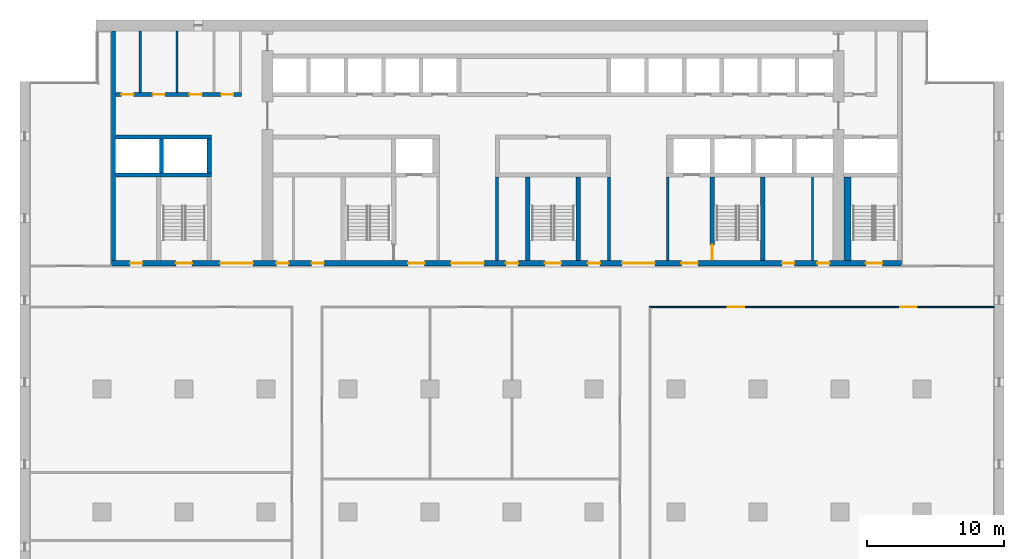
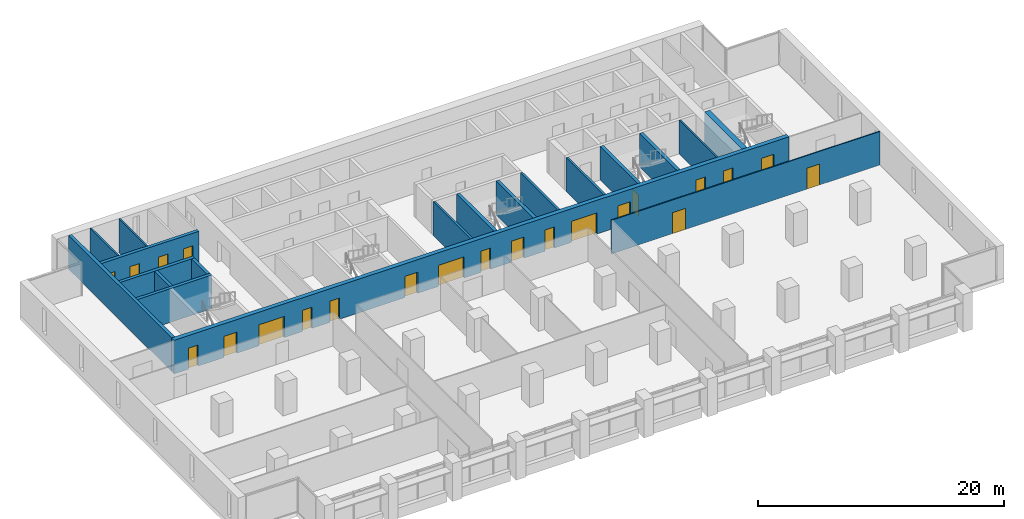
# One storey, part 9 of 15: 22 doors, 19 walls, 22 openings.
"""IFC4 building model written with IfcOpenShell, lengths in metres."""

import ifcopenshell
import ifcopenshell.guid

model = None  # the IFC model being written
_history = None  # IfcOwnerHistory: only IFC2X3 demands one
_inside = {}  # id of a spatial element -> (the spatial element, [elements in it])
_under = {}  # id of a project, library or spatial element -> (it, [spatial elements below it])
_declared = {}  # id of a project -> (the project, [libraries it declares])
_typed = {}  # id of a type object -> (the type object, [elements of that type])
_made_of = {}  # id of a material, layer set ... -> (it, [elements and type objects made of it])


def new_model(schema):
    """Start an empty IFC model of exactly this schema.

    Asked for "IFC4X3", IfcOpenShell would pick the latest addendum, in which some entities
    have other attributes; the version numbers below select the first issue.
    IFC2X3 requires an IfcOwnerHistory on every rooted entity: one is made here for all.
    """
    global model, _history
    if schema == "IFC4X3":
        model = ifcopenshell.file(schema_version=(4, 3, 0, 0))
    else:
        model = ifcopenshell.file(schema=schema)
    _inside.clear()
    _under.clear()
    _declared.clear()
    _typed.clear()
    _made_of.clear()
    _history = None
    if model.schema == "IFC2X3":
        org = make("IfcOrganization", Name="unknown")
        user = make(
            "IfcPersonAndOrganization",
            ThePerson=make("IfcPerson", FamilyName="unknown"),
            TheOrganization=org,
        )
        app = make(
            "IfcApplication",
            ApplicationDeveloper=org,
            Version="unknown",
            ApplicationFullName="unknown",
            ApplicationIdentifier="unknown",
        )
        _history = make(
            "IfcOwnerHistory",
            OwningUser=user,
            OwningApplication=app,
            ChangeAction="ADDED",
            CreationDate=0,
        )
    return model


def make(cls, **values):
    """One entity of the class cls with the attributes given. An attribute that is None is left unset."""
    return model.create_entity(
        cls, **{name: value for name, value in values.items() if value is not None}
    )


def rooted(cls, **values):
    """An entity with a GlobalId (a new one), such as an element, a storey or a relation."""
    return make(cls, GlobalId=ifcopenshell.guid.new(), OwnerHistory=_history, **values)


def si_unit(unit_type, name, prefix=None):
    """IfcSIUnit, for example si_unit("LENGTHUNIT", "METRE", prefix="MILLI")."""
    return make("IfcSIUnit", UnitType=unit_type, Prefix=prefix, Name=name)


def assignment(units):
    """IfcUnitAssignment: the units of a project."""
    return None if units is None else make("IfcUnitAssignment", Units=units)


def point(xyz):
    """IfcCartesianPoint."""
    return None if xyz is None else make("IfcCartesianPoint", Coordinates=xyz)


def direction(xyz):
    """IfcDirection."""
    return None if xyz is None else make("IfcDirection", DirectionRatios=xyz)


def frame(location, z_axis=None, x_axis=None):
    """IfcAxis2Placement3D, a coordinate frame: its origin and axes. An axis left out is left unset."""
    return make(
        "IfcAxis2Placement3D",
        Location=point(location),
        Axis=direction(z_axis),
        RefDirection=direction(x_axis),
    )


def frame_2d(location, x_axis=None):
    """IfcAxis2Placement2D, a coordinate frame in the plane: its origin and x axis."""
    return make(
        "IfcAxis2Placement2D", Location=point(location), RefDirection=direction(x_axis)
    )


def origin():
    """The frame at (0, 0, 0) with its axes left unset."""
    return frame((0.0, 0.0, 0.0))


def place(relative_to, where):
    """IfcLocalPlacement: puts the frame where relative to a parent placement (None: the world)."""
    return make(
        "IfcLocalPlacement", PlacementRelTo=relative_to, RelativePlacement=where
    )


def context(
    kind, dimensions, precision=None, world=None, true_north=None, identifier=None
):
    """IfcGeometricRepresentationContext, for example the 3D "Model" context."""
    return make(
        "IfcGeometricRepresentationContext",
        ContextIdentifier=identifier,
        ContextType=kind,
        CoordinateSpaceDimension=dimensions,
        Precision=precision,
        WorldCoordinateSystem=world,
        TrueNorth=true_north,
    )


def subcontext(parent, identifier, kind, view, scale=None):
    """IfcGeometricRepresentationSubContext, for example "Body" below "Model"."""
    return make(
        "IfcGeometricRepresentationSubContext",
        ContextIdentifier=identifier,
        ContextType=kind,
        ParentContext=parent,
        TargetScale=scale,
        TargetView=view,
    )


def project(units=None, contexts=None):
    """IfcProject with its units and contexts."""
    return rooted(
        "IfcProject",
        Name="project",
        RepresentationContexts=contexts,
        UnitsInContext=assignment(units),
    )


def spatial(cls, under=None, at=None, **own):
    """A site, building, storey or space (cls), placed at a placement, below another one or the project."""
    s = rooted(cls, ObjectPlacement=at, **own)
    if under is not None:
        _under.setdefault(under.id(), (under, []))[1].append(s)
    return s


def profile(cls, at=None, kind="AREA", **sizes):
    """A parametric profile (cls). Its sizes go by their IFC names, for example OverallWidth=200.0."""
    return make(cls, ProfileType=kind, Position=at, **sizes)


def rectangle(**sizes):
    """IfcRectangleProfileDef."""
    return profile("IfcRectangleProfileDef", **sizes)


def extrude(swept, where, along, depth):
    """IfcExtrudedAreaSolid: the profile swept, set in the frame where, extruded along a direction by depth."""
    return make(
        "IfcExtrudedAreaSolid",
        SweptArea=swept,
        Position=where,
        ExtrudedDirection=direction(along),
        Depth=depth,
    )


def shape(context_of_items, identifier, shape_type, items):
    """IfcShapeRepresentation: the items that make up one representation, for example the "Body"."""
    return make(
        "IfcShapeRepresentation",
        ContextOfItems=context_of_items,
        RepresentationIdentifier=identifier,
        RepresentationType=shape_type,
        Items=items,
    )


def material(Name=None, Category=None):
    """IfcMaterial."""
    return make("IfcMaterial", Name=Name, Category=Category)


def layer(
    of_material, thickness, ventilated=None, Name=None, Category=None, Priority=None
):
    """IfcMaterialLayer: one layer of a wall or slab, of a material (None: an air gap)."""
    return make(
        "IfcMaterialLayer",
        Material=of_material,
        LayerThickness=thickness,
        IsVentilated=ventilated,
        Name=Name,
        Category=Category,
        Priority=Priority,
    )


def layer_set(layers, Name=None):
    """IfcMaterialLayerSet."""
    return make("IfcMaterialLayerSet", MaterialLayers=layers, LayerSetName=Name)


def made_of(thing, what):
    """Note that an element or type object is made of a material, layer set ...; save() writes the relation."""
    if what is not None:
        _made_of.setdefault(what.id(), (what, []))[1].append(thing)
    return thing


def type_object(cls, material=None, **own):
    """A type object (cls), such as IfcWallType, which elements share."""
    return made_of(rooted(cls, **own), material)


def element(
    cls,
    number,
    at=None,
    inside=None,
    cuts=None,
    type_object=None,
    material=None,
    context=None,
    identifier="Body",
    shape_type=None,
    held_by="IfcProductDefinitionShape",
    body=None,
    shapes=None,
    **own,
):
    """One element of the class cls, such as IfcWall. Its Tag is "e" and its number.

    at: its placement. inside: the storey or other place that contains it. cuts: it is an
    opening in that element (IfcRelVoidsElement). A single representation is given by context,
    identifier, shape_type and body (its items); several are given by shapes. held_by: the class
    of the entity that holds the representations. save() writes the other relations.
    """
    e = rooted(cls, Tag="e%d" % number, ObjectPlacement=at, **own)
    if body is not None:
        shapes = [shape(context, identifier, shape_type, body)]
    if shapes is not None:
        e.Representation = make(held_by, Representations=shapes)
    if inside is not None:
        _inside.setdefault(inside.id(), (inside, []))[1].append(e)
    if cuts is not None:
        rooted(
            "IfcRelVoidsElement", RelatingBuildingElement=cuts, RelatedOpeningElement=e
        )
    if type_object is not None:
        _typed.setdefault(type_object.id(), (type_object, []))[1].append(e)
    return made_of(e, material)


def fill(opening, filler):
    """IfcRelFillsElement: the door or window that sits in an opening."""
    return rooted(
        "IfcRelFillsElement",
        RelatingOpeningElement=opening,
        RelatedBuildingElement=filler,
    )


def aggregate(whole, parts):
    """IfcRelAggregates: a whole, such as a stair, and the parts it consists of."""
    return rooted("IfcRelAggregates", RelatingObject=whole, RelatedObjects=parts)


def save(model, path):
    """Write the relations noted so far, then the file.

    IfcRelAggregates (storeys below a building ...), IfcRelContainedInSpatialStructure (elements
    in a storey), IfcRelDefinesByType, IfcRelAssociatesMaterial and IfcRelDeclares: one each for
    every whole, place, type object, material and project.
    """
    for whole, parts in _under.values():
        aggregate(whole, parts)
    for where, things in _inside.values():
        rooted(
            "IfcRelContainedInSpatialStructure",
            RelatedElements=things,
            RelatingStructure=where,
        )
    for kind, things in _typed.values():
        rooted("IfcRelDefinesByType", RelatedObjects=things, RelatingType=kind)
    for what, things in _made_of.values():
        rooted("IfcRelAssociatesMaterial", RelatedObjects=things, RelatingMaterial=what)
    for by, libraries in _declared.values():
        rooted("IfcRelDeclares", RelatingContext=by, RelatedDefinitions=libraries)
    model.write(path)


model = new_model("IFC4")

# Units and contexts
model_context = context("Model", 3, precision=1e-05, world=origin(), true_north=direction((0.0, 1.0)))
body_context = subcontext(model_context, "Body", "Model", "MODEL_VIEW")
ifc_project = project(units=[si_unit("LENGTHUNIT", "METRE"), si_unit("AREAUNIT", "SQUARE_METRE"), si_unit("VOLUMEUNIT", "CUBIC_METRE"), si_unit("PLANEANGLEUNIT", "RADIAN"), si_unit("MASSUNIT", "GRAM", prefix="KILO")], contexts=[model_context])

# Site, building, storey
site_placement = place(None, origin())
site = spatial("IfcSite", under=ifc_project, at=site_placement, CompositionType="ELEMENT")
building_placement = place(site_placement, origin())
building = spatial("IfcBuilding", under=site, at=building_placement, Name="Calvaro Tower", CompositionType="ELEMENT")
storey_placement = place(building_placement, frame((0.0, 0.0, 125.0)))
storey = spatial("IfcBuildingStorey", under=building, at=storey_placement, Name="L31", CompositionType="ELEMENT", Elevation=125.0)

# Walls
ifc_material_1 = material(Name="Blockwork partition", Category="masonry")
ifc_layer_1 = layer(ifc_material_1, 0.14990234375)
ifc_layer_set_1 = layer_set([ifc_layer_1], Name="Blockwork partition")
wall_type_1 = type_object("IfcWallType", Name="Core partition 150 EI 60", PredefinedType="PARTITIONING", material=ifc_layer_set_1)
wall_1_placement = place(storey_placement, frame((58.0, 28.39990234375, 0.0), z_axis=(0.0, 0.0, 1.0), x_axis=(0.0, 1.0, 0.0)))
element("IfcWall", 1, at=wall_1_placement, inside=storey, type_object=wall_type_1, Name="Core partition", PredefinedType="PARTITIONING", context=body_context, shape_type="SweptSolid", body=[
    extrude(rectangle(XDim=6.10009765625, YDim=0.14990234375, at=frame_2d((3.050048828125, 0.0))), origin(), (0.0, 0.0, 1.0), 3.35009765625),
])
for number, where, z_axis, x_axis, name in (
    (2, (8.800048828125, 40.699951171875, 0.0), (0.0, 0.0, 1.0), (0.0, 1.0, 0.0), "Core partition"),
    (3, (11.5, 40.699951171875, 0.0), (0.0, 0.0, 1.0), (0.0, 1.0, 0.0), "Core partition"),
):
    element("IfcWall", number, at=place(storey_placement, frame(where, z_axis=z_axis, x_axis=x_axis)), inside=storey, type_object=wall_type_1, Name=name, PredefinedType="PARTITIONING", context=body_context, shape_type="SweptSolid", body=[
        extrude(rectangle(XDim=4.5, YDim=0.14990234375, at=frame_2d((2.25, 0.0))), origin(), (0.0, 0.0, 1.0), 3.35009765625),
    ])
ifc_material_2 = material(Name="Blockwork partition", Category="masonry")
ifc_layer_2 = layer(ifc_material_2, 0.199951171875)
ifc_layer_set_2 = layer_set([ifc_layer_2], Name="Blockwork partition")
wall_type_2 = type_object("IfcWallType", Name="Core partition 200 REI 120", PredefinedType="PARTITIONING", material=ifc_layer_set_2)
for number, where, z_axis, x_axis, name in (
    (4, (34.89990234375, 28.39990234375, 0.0), (0.0, 0.0, 1.0), (0.0, 1.0, 0.0), "Core partition"),
    (5, (43.10009765625, 28.39990234375, 0.0), (0.0, 0.0, 1.0), (0.0, 1.0, 0.0), "Core partition"),
    (6, (47.39990234375, 28.39990234375, 0.0), (0.0, 0.0, 1.0), (0.0, 1.0, 0.0), "Core partition"),
):
    element("IfcWall", number, at=place(storey_placement, frame(where, z_axis=z_axis, x_axis=x_axis)), inside=storey, type_object=wall_type_2, Name=name, PredefinedType="PARTITIONING", context=body_context, shape_type="SweptSolid", body=[
        extrude(rectangle(XDim=6.10009765625, YDim=0.199951171875, at=frame_2d((3.050048828125, 0.0))), origin(), (0.0, 0.0, 1.0), 3.35009765625),
    ])

# Wall, openings, doors
ifc_material_3 = material(Name="Blockwork partition", Category="masonry")
ifc_layer_3 = layer(ifc_material_3, 0.300048828125)
ifc_layer_set_3 = layer_set([ifc_layer_3], Name="Blockwork partition")
wall_type_3 = type_object("IfcWallType", Name="Core partition 300 REI 120", PredefinedType="PARTITIONING", material=ifc_layer_set_3)
wall_2_placement = place(storey_placement, frame((7.0, 40.550048828125, 0.0), z_axis=(0.0, 0.0, 1.0), x_axis=(1.0, 0.0, 0.0)))
wall_2 = element("IfcWall", 7, at=wall_2_placement, inside=storey, type_object=wall_type_3, Name="Core partition", PredefinedType="PARTITIONING", context=body_context, shape_type="SweptSolid", body=[
    extrude(rectangle(XDim=9.199951171875, YDim=0.300048828125, at=frame_2d((4.60009765625, 0.0))), origin(), (0.0, 0.0, 1.0), 3.35009765625),
])
opening_1_placement = place(wall_2_placement, frame((0.41259765625, 0.0, 0.0)))
opening_1 = element("IfcOpeningElement", 8, at=opening_1_placement, cuts=wall_2, Name="Opening RD9C", PredefinedType="OPENING", context=body_context, shape_type="SweptSolid", body=[
    extrude(rectangle(XDim=0.89990234375, YDim=2.10009765625, at=frame_2d((0.449951171875, 1.050048828125))), frame((0.0, 0.159912109375, 0.0), z_axis=(0.0, -1.0, 0.0), x_axis=(1.0, 0.0, 0.0)), (0.0, 0.0, 1.0), 0.320068359375),
])
opening_2_placement = place(wall_2_placement, frame((2.699951171875, 0.0, 0.0)))
opening_2 = element("IfcOpeningElement", 9, at=opening_2_placement, cuts=wall_2, Name="Opening RD9", PredefinedType="OPENING", context=body_context, shape_type="SweptSolid", body=[
    extrude(rectangle(XDim=0.89990234375, YDim=2.10009765625, at=frame_2d((0.449951171875, 1.050048828125))), frame((0.0, 0.159912109375, 0.0), z_axis=(0.0, -1.0, 0.0), x_axis=(1.0, 0.0, 0.0)), (0.0, 0.0, 1.0), 0.320068359375),
])
opening_3_placement = place(wall_2_placement, frame((5.39990234375, 0.0, 0.0)))
opening_3 = element("IfcOpeningElement", 10, at=opening_3_placement, cuts=wall_2, Name="Opening RD9", PredefinedType="OPENING", context=body_context, shape_type="SweptSolid", body=[
    extrude(rectangle(XDim=0.89990234375, YDim=2.10009765625, at=frame_2d((0.449951171875, 1.050048828125))), frame((0.0, 0.159912109375, 0.0), z_axis=(0.0, -1.0, 0.0), x_axis=(1.0, 0.0, 0.0)), (0.0, 0.0, 1.0), 0.320068359375),
])
opening_4_placement = place(wall_2_placement, frame((7.71240234375, 0.0, 0.0)))
opening_4 = element("IfcOpeningElement", 11, at=opening_4_placement, cuts=wall_2, Name="Opening RD9", PredefinedType="OPENING", context=body_context, shape_type="SweptSolid", body=[
    extrude(rectangle(XDim=0.89990234375, YDim=2.10009765625, at=frame_2d((0.449951171875, 1.050048828125))), frame((0.0, 0.159912109375, 0.0), z_axis=(0.0, -1.0, 0.0), x_axis=(1.0, 0.0, 0.0)), (0.0, 0.0, 1.0), 0.320068359375),
])
ifc_material_4 = material(Name="Steel door set", Category="steel")
door_type_1 = type_object("IfcDoorType", Name="Room door 900", OperationType="SINGLE_SWING_LEFT", PredefinedType="DOOR", material=ifc_material_4)
door_1_placement = place(opening_2_placement, origin())
door_1 = element("IfcDoor", 12, at=door_1_placement, inside=storey, type_object=door_type_1, Name="Room door", OperationType="SINGLE_SWING_LEFT", OverallHeight=2.10009765625, OverallWidth=0.89990234375, PredefinedType="DOOR", context=body_context, shape_type="SweptSolid", body=[
    extrude(rectangle(XDim=0.89990234375, YDim=2.10009765625, at=frame_2d((0.449951171875, 1.050048828125))), frame((0.0, 0.02490234375, 0.0), z_axis=(0.0, -1.0, 0.0), x_axis=(1.0, 0.0, 0.0)), (0.0, 0.0, 1.0), 0.050048828125),
])
fill(opening_2, door_1)
door_2_placement = place(opening_3_placement, origin())
door_2 = element("IfcDoor", 13, at=door_2_placement, inside=storey, type_object=door_type_1, Name="Room door", OperationType="SINGLE_SWING_LEFT", OverallHeight=2.10009765625, OverallWidth=0.89990234375, PredefinedType="DOOR", context=body_context, shape_type="SweptSolid", body=[
    extrude(rectangle(XDim=0.89990234375, YDim=2.10009765625, at=frame_2d((0.449951171875, 1.050048828125))), frame((0.0, 0.02490234375, 0.0), z_axis=(0.0, -1.0, 0.0), x_axis=(1.0, 0.0, 0.0)), (0.0, 0.0, 1.0), 0.050048828125),
])
fill(opening_3, door_2)
door_3_placement = place(opening_4_placement, origin())
door_3 = element("IfcDoor", 14, at=door_3_placement, inside=storey, type_object=door_type_1, Name="Room door", OperationType="SINGLE_SWING_LEFT", OverallHeight=2.10009765625, OverallWidth=0.89990234375, PredefinedType="DOOR", context=body_context, shape_type="SweptSolid", body=[
    extrude(rectangle(XDim=0.89990234375, YDim=2.10009765625, at=frame_2d((0.449951171875, 1.050048828125))), frame((0.0, 0.02490234375, 0.0), z_axis=(0.0, -1.0, 0.0), x_axis=(1.0, 0.0, 0.0)), (0.0, 0.0, 1.0), 0.050048828125),
])
fill(opening_4, door_3)
ifc_material_5 = material(Name="Steel door set", Category="steel")
door_type_2 = type_object("IfcDoorType", Name="Room door 900 FD30", OperationType="SINGLE_SWING_LEFT", PredefinedType="DOOR", material=ifc_material_5)
door_4_placement = place(opening_1_placement, origin())
door_4 = element("IfcDoor", 15, at=door_4_placement, inside=storey, type_object=door_type_2, Name="Room door", OperationType="SINGLE_SWING_LEFT", OverallHeight=2.10009765625, OverallWidth=0.89990234375, PredefinedType="DOOR", context=body_context, shape_type="SweptSolid", body=[
    extrude(rectangle(XDim=0.89990234375, YDim=2.10009765625, at=frame_2d((0.449951171875, 1.050048828125))), frame((0.0, 0.02490234375, 0.0), z_axis=(0.0, -1.0, 0.0), x_axis=(1.0, 0.0, 0.0)), (0.0, 0.0, 1.0), 0.050048828125),
])
fill(opening_1, door_4)

# Walls
ifc_material_6 = material(Name="Concrete C60/75", Category="concrete")
ifc_layer_4 = layer(ifc_material_6, 0.300048828125)
ifc_layer_set_4 = layer_set([ifc_layer_4], Name="Concrete C60/75")
wall_type_4 = type_object("IfcWallType", Name="Core wall C60/75 300", PredefinedType="SHEAR", material=ifc_layer_set_4)
wall_3_placement = place(storey_placement, frame((6.85009765625, 28.39990234375, 0.0), z_axis=(0.0, 0.0, 1.0), x_axis=(0.0, 1.0, 0.0)))
element("IfcWall", 16, at=wall_3_placement, inside=storey, type_object=wall_type_4, Name="Core wall, boundary", PredefinedType="SHEAR", context=body_context, shape_type="SweptSolid", body=[
    extrude(rectangle(XDim=16.800048828125, YDim=0.300048828125, at=frame_2d((8.39990234375, 0.0))), origin(), (0.0, 0.0, 1.0), 3.35009765625),
])
for number, where, z_axis, x_axis, name in (
    (17, (37.14990234375, 28.39990234375, 0.0), (0.0, 0.0, 1.0), (0.0, 1.0, 0.0), "Core wall, stair enclosure"),
    (18, (40.85009765625, 28.39990234375, 0.0), (0.0, 0.0, 1.0), (0.0, 1.0, 0.0), "Core wall, stair enclosure"),
):
    element("IfcWall", number, at=place(storey_placement, frame(where, z_axis=z_axis, x_axis=x_axis)), inside=storey, type_object=wall_type_4, Name=name, PredefinedType="SHEAR", context=body_context, shape_type="SweptSolid", body=[
        extrude(rectangle(XDim=6.10009765625, YDim=0.300048828125, at=frame_2d((3.050048828125, 0.0))), origin(), (0.0, 0.0, 1.0), 3.35009765625),
    ])

# Wall, opening, door
wall_4_placement = place(storey_placement, frame((50.64990234375, 34.5, 0.0), z_axis=(0.0, 0.0, 1.0), x_axis=(0.0, -1.0, 0.0)))
wall_4 = element("IfcWall", 19, at=wall_4_placement, inside=storey, type_object=wall_type_4, Name="Core wall, stair enclosure", PredefinedType="SHEAR", context=body_context, shape_type="SweptSolid", body=[
    extrude(rectangle(XDim=6.10009765625, YDim=0.300048828125, at=frame_2d((3.050048828125, 0.0))), origin(), (0.0, 0.0, 1.0), 3.35009765625),
])
opening_5_placement = place(wall_4_placement, frame((4.949951171875, 0.0, 0.0)))
opening_5 = element("IfcOpeningElement", 20, at=opening_5_placement, cuts=wall_4, Name="Opening FD11D", PredefinedType="OPENING", context=body_context, shape_type="SweptSolid", body=[
    extrude(rectangle(XDim=1.10009765625, YDim=2.10009765625, at=frame_2d((0.550048828125, 1.050048828125))), frame((0.0, 0.159912109375, 0.0), z_axis=(0.0, -1.0, 0.0), x_axis=(1.0, 0.0, 0.0)), (0.0, 0.0, 1.0), 0.320068359375),
])
ifc_material_7 = material(Name="Steel door set", Category="steel")
door_type_3 = type_object("IfcDoorType", Name="Fire door 1100 FD30S", OperationType="SINGLE_SWING_LEFT", PredefinedType="DOOR", material=ifc_material_7)
door_5_placement = place(opening_5_placement, origin())
door_5 = element("IfcDoor", 21, at=door_5_placement, inside=storey, type_object=door_type_3, Name="Fire door", OperationType="SINGLE_SWING_RIGHT", OverallHeight=2.10009765625, OverallWidth=1.10009765625, PredefinedType="DOOR", context=body_context, shape_type="SweptSolid", body=[
    extrude(rectangle(XDim=1.10009765625, YDim=2.10009765625, at=frame_2d((0.550048828125, 1.050048828125))), frame((0.0, 0.02490234375, 0.0), z_axis=(0.0, -1.0, 0.0), x_axis=(1.0, 0.0, 0.0)), (0.0, 0.0, 1.0), 0.050048828125),
])
fill(opening_5, door_5)

# Walls
wall_5_placement = place(storey_placement, frame((54.35009765625, 28.39990234375, 0.0), z_axis=(0.0, 0.0, 1.0), x_axis=(0.0, 1.0, 0.0)))
element("IfcWall", 22, at=wall_5_placement, inside=storey, type_object=wall_type_4, Name="Core wall, stair enclosure", PredefinedType="SHEAR", context=body_context, shape_type="SweptSolid", body=[
    extrude(rectangle(XDim=6.10009765625, YDim=0.300048828125, at=frame_2d((3.050048828125, 0.0))), origin(), (0.0, 0.0, 1.0), 3.35009765625),
])
for number, where, z_axis, x_axis, name in (
    (23, (7.0, 34.64990234375, 0.0), (0.0, 0.0, 1.0), (1.0, 0.0, 0.0), "Core wall, lift shaft"),
    (24, (7.0, 37.449951171875, 0.0), (0.0, 0.0, 1.0), (1.0, 0.0, 0.0), "Core wall, lift shaft"),
):
    element("IfcWall", number, at=place(storey_placement, frame(where, z_axis=z_axis, x_axis=x_axis)), inside=storey, type_object=wall_type_4, Name=name, PredefinedType="SHEAR", context=body_context, shape_type="SweptSolid", body=[
        extrude(rectangle(XDim=7.0, YDim=0.300048828125, at=frame_2d((3.5, 0.0))), origin(), (0.0, 0.0, 1.0), 3.35009765625),
    ])
for number, where, z_axis, x_axis, name in (
    (25, (13.85009765625, 34.800048828125, 0.0), (0.0, 0.0, 1.0), (0.0, 1.0, 0.0), "Core wall, lift shaft"),
    (26, (10.35009765625, 34.800048828125, 0.0), (0.0, 0.0, 1.0), (0.0, 1.0, 0.0), "Core wall, lift shaft"),
):
    element("IfcWall", number, at=place(storey_placement, frame(where, z_axis=z_axis, x_axis=x_axis)), inside=storey, type_object=wall_type_4, Name=name, PredefinedType="SHEAR", context=body_context, shape_type="SweptSolid", body=[
        extrude(rectangle(XDim=2.5, YDim=0.300048828125, at=frame_2d((1.25, 0.0))), origin(), (0.0, 0.0, 1.0), 3.35009765625),
    ])

# Wall, openings, doors
ifc_material_8 = material(Name="Concrete C60/75", Category="concrete")
ifc_layer_5 = layer(ifc_material_8, 0.39990234375)
ifc_layer_set_5 = layer_set([ifc_layer_5], Name="Concrete C60/75")
wall_type_5 = type_object("IfcWallType", Name="Core wall C60/75 400", PredefinedType="SHEAR", material=ifc_layer_set_5)
wall_6_placement = place(storey_placement, frame((6.699951171875, 28.199951171875, 0.0), z_axis=(0.0, 0.0, 1.0), x_axis=(1.0, 0.0, 0.0)))
wall_6 = element("IfcWall", 27, at=wall_6_placement, inside=storey, type_object=wall_type_5, Name="Core wall, front", PredefinedType="SHEAR", context=body_context, shape_type="SweptSolid", body=[
    extrude(rectangle(XDim=57.800048828125, YDim=0.39990234375, at=frame_2d((28.89990234375, 0.0))), origin(), (0.0, 0.0, 1.0), 3.35009765625),
])
opening_6_placement = place(wall_6_placement, frame((12.0625, 0.0, 0.0)))
opening_6 = element("IfcOpeningElement", 28, at=opening_6_placement, cuts=wall_6, Name="Opening RD9C", PredefinedType="OPENING", context=body_context, shape_type="SweptSolid", body=[
    extrude(rectangle(XDim=0.89990234375, YDim=2.10009765625, at=frame_2d((0.449951171875, 1.050048828125))), frame((0.0, 0.2099609375, 0.0), z_axis=(0.0, -1.0, 0.0), x_axis=(1.0, 0.0, 0.0)), (0.0, 0.0, 1.0), 0.419921875),
])
opening_7_placement = place(wall_6_placement, frame((14.637451171875, 0.0, 0.0)))
opening_7 = element("IfcOpeningElement", 29, at=opening_7_placement, cuts=wall_6, Name="Opening RD9E", PredefinedType="OPENING", context=body_context, shape_type="SweptSolid", body=[
    extrude(rectangle(XDim=0.89990234375, YDim=2.10009765625, at=frame_2d((0.449951171875, 1.050048828125))), frame((0.0, 0.2099609375, 0.0), z_axis=(0.0, -1.0, 0.0), x_axis=(1.0, 0.0, 0.0)), (0.0, 0.0, 1.0), 0.419921875),
])
opening_8_placement = place(wall_6_placement, frame((49.0625, 0.0, 0.0)))
opening_8 = element("IfcOpeningElement", 30, at=opening_8_placement, cuts=wall_6, Name="Opening RD9E", PredefinedType="OPENING", context=body_context, shape_type="SweptSolid", body=[
    extrude(rectangle(XDim=0.89990234375, YDim=2.10009765625, at=frame_2d((0.449951171875, 1.050048828125))), frame((0.0, 0.2099609375, 0.0), z_axis=(0.0, -1.0, 0.0), x_axis=(1.0, 0.0, 0.0)), (0.0, 0.0, 1.0), 0.419921875),
])
opening_9_placement = place(wall_6_placement, frame((51.637451171875, 0.0, 0.0)))
opening_9 = element("IfcOpeningElement", 31, at=opening_9_placement, cuts=wall_6, Name="Opening RD9C", PredefinedType="OPENING", context=body_context, shape_type="SweptSolid", body=[
    extrude(rectangle(XDim=0.89990234375, YDim=2.10009765625, at=frame_2d((0.449951171875, 1.050048828125))), frame((0.0, 0.2099609375, 0.0), z_axis=(0.0, -1.0, 0.0), x_axis=(1.0, 0.0, 0.0)), (0.0, 0.0, 1.0), 0.419921875),
])
opening_10_placement = place(wall_6_placement, frame((1.35009765625, 0.0, 0.0)))
opening_10 = element("IfcOpeningElement", 32, at=opening_10_placement, cuts=wall_6, Name="Opening RD9E", PredefinedType="OPENING", context=body_context, shape_type="SweptSolid", body=[
    extrude(rectangle(XDim=0.89990234375, YDim=2.10009765625, at=frame_2d((0.449951171875, 1.050048828125))), frame((0.0, 0.2099609375, 0.0), z_axis=(0.0, -1.0, 0.0), x_axis=(1.0, 0.0, 0.0)), (0.0, 0.0, 1.0), 0.419921875),
])
opening_11_placement = place(wall_6_placement, frame((4.699951171875, 0.0, 0.0)))
opening_11 = element("IfcOpeningElement", 33, at=opening_11_placement, cuts=wall_6, Name="Opening SD12D", PredefinedType="OPENING", context=body_context, shape_type="SweptSolid", body=[
    extrude(rectangle(XDim=1.199951171875, YDim=2.10009765625, at=frame_2d((0.60009765625, 1.050048828125))), frame((0.0, 0.2099609375, 0.0), z_axis=(0.0, -1.0, 0.0), x_axis=(1.0, 0.0, 0.0)), (0.0, 0.0, 1.0), 0.419921875),
])
opening_12_placement = place(wall_6_placement, frame((31.699951171875, 0.0, 0.0)))
opening_12 = element("IfcOpeningElement", 34, at=opening_12_placement, cuts=wall_6, Name="Opening SD12D", PredefinedType="OPENING", context=body_context, shape_type="SweptSolid", body=[
    extrude(rectangle(XDim=1.199951171875, YDim=2.10009765625, at=frame_2d((0.60009765625, 1.050048828125))), frame((0.0, 0.2099609375, 0.0), z_axis=(0.0, -1.0, 0.0), x_axis=(1.0, 0.0, 0.0)), (0.0, 0.0, 1.0), 0.419921875),
])
opening_13_placement = place(wall_6_placement, frame((55.199951171875, 0.0, 0.0)))
opening_13 = element("IfcOpeningElement", 35, at=opening_13_placement, cuts=wall_6, Name="Opening SD12D", PredefinedType="OPENING", context=body_context, shape_type="SweptSolid", body=[
    extrude(rectangle(XDim=1.199951171875, YDim=2.10009765625, at=frame_2d((0.60009765625, 1.050048828125))), frame((0.0, 0.2099609375, 0.0), z_axis=(0.0, -1.0, 0.0), x_axis=(1.0, 0.0, 0.0)), (0.0, 0.0, 1.0), 0.419921875),
])
opening_14_placement = place(wall_6_placement, frame((21.699951171875, 0.0, 0.0)))
opening_14 = element("IfcOpeningElement", 36, at=opening_14_placement, cuts=wall_6, Name="Opening FD12F", PredefinedType="OPENING", context=body_context, shape_type="SweptSolid", body=[
    extrude(rectangle(XDim=1.199951171875, YDim=2.10009765625, at=frame_2d((0.60009765625, 1.050048828125))), frame((0.0, 0.2099609375, 0.0), z_axis=(0.0, -1.0, 0.0), x_axis=(1.0, 0.0, 0.0)), (0.0, 0.0, 1.0), 0.419921875),
])
opening_15_placement = place(wall_6_placement, frame((41.699951171875, 0.0, 0.0)))
opening_15 = element("IfcOpeningElement", 37, at=opening_15_placement, cuts=wall_6, Name="Opening FD12F", PredefinedType="OPENING", context=body_context, shape_type="SweptSolid", body=[
    extrude(rectangle(XDim=1.199951171875, YDim=2.10009765625, at=frame_2d((0.60009765625, 1.050048828125))), frame((0.0, 0.2099609375, 0.0), z_axis=(0.0, -1.0, 0.0), x_axis=(1.0, 0.0, 0.0)), (0.0, 0.0, 1.0), 0.419921875),
])
opening_16_placement = place(wall_6_placement, frame((24.85009765625, 0.0, 0.0)))
opening_16 = element("IfcOpeningElement", 38, at=opening_16_placement, cuts=wall_6, Name="Opening DD24D", PredefinedType="OPENING", context=body_context, shape_type="SweptSolid", body=[
    extrude(rectangle(XDim=2.39990234375, YDim=2.10009765625, at=frame_2d((1.199951171875, 1.050048828125))), frame((0.0, 0.2099609375, 0.0), z_axis=(0.0, -1.0, 0.0), x_axis=(1.0, 0.0, 0.0)), (0.0, 0.0, 1.0), 0.419921875),
])
opening_17_placement = place(wall_6_placement, frame((37.35009765625, 0.0, 0.0)))
opening_17 = element("IfcOpeningElement", 39, at=opening_17_placement, cuts=wall_6, Name="Opening DD24D", PredefinedType="OPENING", context=body_context, shape_type="SweptSolid", body=[
    extrude(rectangle(XDim=2.39990234375, YDim=2.10009765625, at=frame_2d((1.199951171875, 1.050048828125))), frame((0.0, 0.2099609375, 0.0), z_axis=(0.0, -1.0, 0.0), x_axis=(1.0, 0.0, 0.0)), (0.0, 0.0, 1.0), 0.419921875),
])
opening_18_placement = place(wall_6_placement, frame((7.949951171875, 0.0, 0.0)))
opening_18 = element("IfcOpeningElement", 40, at=opening_18_placement, cuts=wall_6, Name="Opening DD24D", PredefinedType="OPENING", context=body_context, shape_type="SweptSolid", body=[
    extrude(rectangle(XDim=2.39990234375, YDim=2.10009765625, at=frame_2d((1.199951171875, 1.050048828125))), frame((0.0, 0.2099609375, 0.0), z_axis=(0.0, -1.0, 0.0), x_axis=(1.0, 0.0, 0.0)), (0.0, 0.0, 1.0), 0.419921875),
])
opening_19_placement = place(wall_6_placement, frame((28.85009765625, 0.0, 0.0)))
opening_19 = element("IfcOpeningElement", 41, at=opening_19_placement, cuts=wall_6, Name="Opening RD9E", PredefinedType="OPENING", context=body_context, shape_type="SweptSolid", body=[
    extrude(rectangle(XDim=0.89990234375, YDim=2.10009765625, at=frame_2d((0.449951171875, 1.050048828125))), frame((0.0, 0.2099609375, 0.0), z_axis=(0.0, -1.0, 0.0), x_axis=(1.0, 0.0, 0.0)), (0.0, 0.0, 1.0), 0.419921875),
])
opening_20_placement = place(wall_6_placement, frame((34.85009765625, 0.0, 0.0)))
opening_20 = element("IfcOpeningElement", 42, at=opening_20_placement, cuts=wall_6, Name="Opening RD9E", PredefinedType="OPENING", context=body_context, shape_type="SweptSolid", body=[
    extrude(rectangle(XDim=0.89990234375, YDim=2.10009765625, at=frame_2d((0.449951171875, 1.050048828125))), frame((0.0, 0.2099609375, 0.0), z_axis=(0.0, -1.0, 0.0), x_axis=(1.0, 0.0, 0.0)), (0.0, 0.0, 1.0), 0.419921875),
])
ifc_material_9 = material(Name="Steel door set", Category="steel")
door_type_4 = type_object("IfcDoorType", Name="Fire door 1200 FD60S", OperationType="SINGLE_SWING_LEFT", PredefinedType="DOOR", material=ifc_material_9)
door_6_placement = place(opening_14_placement, origin())
door_6 = element("IfcDoor", 43, at=door_6_placement, inside=storey, type_object=door_type_4, Name="Fire door", OperationType="SINGLE_SWING_LEFT", OverallHeight=2.10009765625, OverallWidth=1.199951171875, PredefinedType="DOOR", context=body_context, shape_type="SweptSolid", body=[
    extrude(rectangle(XDim=1.199951171875, YDim=2.10009765625, at=frame_2d((0.60009765625, 1.050048828125))), frame((0.0, 0.02490234375, 0.0), z_axis=(0.0, -1.0, 0.0), x_axis=(1.0, 0.0, 0.0)), (0.0, 0.0, 1.0), 0.050048828125),
])
fill(opening_14, door_6)
door_7_placement = place(opening_15_placement, origin())
door_7 = element("IfcDoor", 44, at=door_7_placement, inside=storey, type_object=door_type_4, Name="Fire door", OperationType="SINGLE_SWING_LEFT", OverallHeight=2.10009765625, OverallWidth=1.199951171875, PredefinedType="DOOR", context=body_context, shape_type="SweptSolid", body=[
    extrude(rectangle(XDim=1.199951171875, YDim=2.10009765625, at=frame_2d((0.60009765625, 1.050048828125))), frame((0.0, 0.02490234375, 0.0), z_axis=(0.0, -1.0, 0.0), x_axis=(1.0, 0.0, 0.0)), (0.0, 0.0, 1.0), 0.050048828125),
])
fill(opening_15, door_7)
ifc_material_10 = material(Name="Steel door set", Category="steel")
door_type_5 = type_object("IfcDoorType", Name="Lobby double door 2400 FD30S", OperationType="DOUBLE_DOOR_SINGLE_SWING", PredefinedType="DOOR", material=ifc_material_10)
door_8_placement = place(opening_16_placement, origin())
door_8 = element("IfcDoor", 45, at=door_8_placement, inside=storey, type_object=door_type_5, Name="Lobby double door", OperationType="DOUBLE_DOOR_SINGLE_SWING", OverallHeight=2.10009765625, OverallWidth=2.39990234375, PredefinedType="DOOR", context=body_context, shape_type="SweptSolid", body=[
    extrude(rectangle(XDim=2.39990234375, YDim=2.10009765625, at=frame_2d((1.199951171875, 1.050048828125))), frame((0.0, 0.02490234375, 0.0), z_axis=(0.0, -1.0, 0.0), x_axis=(1.0, 0.0, 0.0)), (0.0, 0.0, 1.0), 0.050048828125),
])
fill(opening_16, door_8)
door_9_placement = place(opening_17_placement, origin())
door_9 = element("IfcDoor", 46, at=door_9_placement, inside=storey, type_object=door_type_5, Name="Lobby double door", OperationType="DOUBLE_DOOR_SINGLE_SWING", OverallHeight=2.10009765625, OverallWidth=2.39990234375, PredefinedType="DOOR", context=body_context, shape_type="SweptSolid", body=[
    extrude(rectangle(XDim=2.39990234375, YDim=2.10009765625, at=frame_2d((1.199951171875, 1.050048828125))), frame((0.0, 0.02490234375, 0.0), z_axis=(0.0, -1.0, 0.0), x_axis=(1.0, 0.0, 0.0)), (0.0, 0.0, 1.0), 0.050048828125),
])
fill(opening_17, door_9)
door_10_placement = place(opening_18_placement, origin())
door_10 = element("IfcDoor", 47, at=door_10_placement, inside=storey, type_object=door_type_5, Name="Lobby double door", OperationType="DOUBLE_DOOR_SINGLE_SWING", OverallHeight=2.10009765625, OverallWidth=2.39990234375, PredefinedType="DOOR", context=body_context, shape_type="SweptSolid", body=[
    extrude(rectangle(XDim=2.39990234375, YDim=2.10009765625, at=frame_2d((1.199951171875, 1.050048828125))), frame((0.0, 0.02490234375, 0.0), z_axis=(0.0, -1.0, 0.0), x_axis=(1.0, 0.0, 0.0)), (0.0, 0.0, 1.0), 0.050048828125),
])
fill(opening_18, door_10)
door_11_placement = place(opening_6_placement, origin())
door_11 = element("IfcDoor", 48, at=door_11_placement, inside=storey, type_object=door_type_2, Name="Room door", OperationType="SINGLE_SWING_LEFT", OverallHeight=2.10009765625, OverallWidth=0.89990234375, PredefinedType="DOOR", context=body_context, shape_type="SweptSolid", body=[
    extrude(rectangle(XDim=0.89990234375, YDim=2.10009765625, at=frame_2d((0.449951171875, 1.050048828125))), frame((0.0, 0.02490234375, 0.0), z_axis=(0.0, -1.0, 0.0), x_axis=(1.0, 0.0, 0.0)), (0.0, 0.0, 1.0), 0.050048828125),
])
fill(opening_6, door_11)
door_12_placement = place(opening_9_placement, origin())
door_12 = element("IfcDoor", 49, at=door_12_placement, inside=storey, type_object=door_type_2, Name="Room door", OperationType="SINGLE_SWING_LEFT", OverallHeight=2.10009765625, OverallWidth=0.89990234375, PredefinedType="DOOR", context=body_context, shape_type="SweptSolid", body=[
    extrude(rectangle(XDim=0.89990234375, YDim=2.10009765625, at=frame_2d((0.449951171875, 1.050048828125))), frame((0.0, 0.02490234375, 0.0), z_axis=(0.0, -1.0, 0.0), x_axis=(1.0, 0.0, 0.0)), (0.0, 0.0, 1.0), 0.050048828125),
])
fill(opening_9, door_12)
ifc_material_11 = material(Name="Steel door set", Category="steel")
door_type_6 = type_object("IfcDoorType", Name="Room door 900 FD60", OperationType="SINGLE_SWING_LEFT", PredefinedType="DOOR", material=ifc_material_11)
door_13_placement = place(opening_7_placement, origin())
door_13 = element("IfcDoor", 50, at=door_13_placement, inside=storey, type_object=door_type_6, Name="Room door", OperationType="SINGLE_SWING_RIGHT", OverallHeight=2.10009765625, OverallWidth=0.89990234375, PredefinedType="DOOR", context=body_context, shape_type="SweptSolid", body=[
    extrude(rectangle(XDim=0.89990234375, YDim=2.10009765625, at=frame_2d((0.449951171875, 1.050048828125))), frame((0.0, 0.02490234375, 0.0), z_axis=(0.0, -1.0, 0.0), x_axis=(1.0, 0.0, 0.0)), (0.0, 0.0, 1.0), 0.050048828125),
])
fill(opening_7, door_13)
door_14_placement = place(opening_8_placement, origin())
door_14 = element("IfcDoor", 51, at=door_14_placement, inside=storey, type_object=door_type_6, Name="Room door", OperationType="SINGLE_SWING_LEFT", OverallHeight=2.10009765625, OverallWidth=0.89990234375, PredefinedType="DOOR", context=body_context, shape_type="SweptSolid", body=[
    extrude(rectangle(XDim=0.89990234375, YDim=2.10009765625, at=frame_2d((0.449951171875, 1.050048828125))), frame((0.0, 0.02490234375, 0.0), z_axis=(0.0, -1.0, 0.0), x_axis=(1.0, 0.0, 0.0)), (0.0, 0.0, 1.0), 0.050048828125),
])
fill(opening_8, door_14)
door_15_placement = place(opening_10_placement, origin())
door_15 = element("IfcDoor", 52, at=door_15_placement, inside=storey, type_object=door_type_6, Name="Room door", OperationType="SINGLE_SWING_LEFT", OverallHeight=2.10009765625, OverallWidth=0.89990234375, PredefinedType="DOOR", context=body_context, shape_type="SweptSolid", body=[
    extrude(rectangle(XDim=0.89990234375, YDim=2.10009765625, at=frame_2d((0.449951171875, 1.050048828125))), frame((0.0, 0.02490234375, 0.0), z_axis=(0.0, -1.0, 0.0), x_axis=(1.0, 0.0, 0.0)), (0.0, 0.0, 1.0), 0.050048828125),
])
fill(opening_10, door_15)
door_16_placement = place(opening_19_placement, origin())
door_16 = element("IfcDoor", 53, at=door_16_placement, inside=storey, type_object=door_type_6, Name="Room door", OperationType="SINGLE_SWING_LEFT", OverallHeight=2.10009765625, OverallWidth=0.89990234375, PredefinedType="DOOR", context=body_context, shape_type="SweptSolid", body=[
    extrude(rectangle(XDim=0.89990234375, YDim=2.10009765625, at=frame_2d((0.449951171875, 1.050048828125))), frame((0.0, 0.02490234375, 0.0), z_axis=(0.0, -1.0, 0.0), x_axis=(1.0, 0.0, 0.0)), (0.0, 0.0, 1.0), 0.050048828125),
])
fill(opening_19, door_16)
door_17_placement = place(opening_20_placement, origin())
door_17 = element("IfcDoor", 54, at=door_17_placement, inside=storey, type_object=door_type_6, Name="Room door", OperationType="SINGLE_SWING_LEFT", OverallHeight=2.10009765625, OverallWidth=0.89990234375, PredefinedType="DOOR", context=body_context, shape_type="SweptSolid", body=[
    extrude(rectangle(XDim=0.89990234375, YDim=2.10009765625, at=frame_2d((0.449951171875, 1.050048828125))), frame((0.0, 0.02490234375, 0.0), z_axis=(0.0, -1.0, 0.0), x_axis=(1.0, 0.0, 0.0)), (0.0, 0.0, 1.0), 0.050048828125),
])
fill(opening_20, door_17)
ifc_material_12 = material(Name="Steel door set", Category="steel")
door_type_7 = type_object("IfcDoorType", Name="Stair door 1200 FD30S", OperationType="SINGLE_SWING_LEFT", PredefinedType="DOOR", material=ifc_material_12)
door_18_placement = place(opening_11_placement, origin())
door_18 = element("IfcDoor", 55, at=door_18_placement, inside=storey, type_object=door_type_7, Name="Stair door", OperationType="SINGLE_SWING_LEFT", OverallHeight=2.10009765625, OverallWidth=1.199951171875, PredefinedType="DOOR", context=body_context, shape_type="SweptSolid", body=[
    extrude(rectangle(XDim=1.199951171875, YDim=2.10009765625, at=frame_2d((0.60009765625, 1.050048828125))), frame((0.0, 0.02490234375, 0.0), z_axis=(0.0, -1.0, 0.0), x_axis=(1.0, 0.0, 0.0)), (0.0, 0.0, 1.0), 0.050048828125),
])
fill(opening_11, door_18)
door_19_placement = place(opening_12_placement, origin())
door_19 = element("IfcDoor", 56, at=door_19_placement, inside=storey, type_object=door_type_7, Name="Stair door", OperationType="SINGLE_SWING_LEFT", OverallHeight=2.10009765625, OverallWidth=1.199951171875, PredefinedType="DOOR", context=body_context, shape_type="SweptSolid", body=[
    extrude(rectangle(XDim=1.199951171875, YDim=2.10009765625, at=frame_2d((0.60009765625, 1.050048828125))), frame((0.0, 0.02490234375, 0.0), z_axis=(0.0, -1.0, 0.0), x_axis=(1.0, 0.0, 0.0)), (0.0, 0.0, 1.0), 0.050048828125),
])
fill(opening_12, door_19)
door_20_placement = place(opening_13_placement, origin())
door_20 = element("IfcDoor", 57, at=door_20_placement, inside=storey, type_object=door_type_7, Name="Stair door", OperationType="SINGLE_SWING_LEFT", OverallHeight=2.10009765625, OverallWidth=1.199951171875, PredefinedType="DOOR", context=body_context, shape_type="SweptSolid", body=[
    extrude(rectangle(XDim=1.199951171875, YDim=2.10009765625, at=frame_2d((0.60009765625, 1.050048828125))), frame((0.0, 0.02490234375, 0.0), z_axis=(0.0, -1.0, 0.0), x_axis=(1.0, 0.0, 0.0)), (0.0, 0.0, 1.0), 0.050048828125),
])
fill(opening_13, door_20)

# Wall
ifc_material_13 = material(Name="Concrete C60/75", Category="concrete")
ifc_layer_6 = layer(ifc_material_13, 0.5)
ifc_layer_set_6 = layer_set([ifc_layer_6], Name="Concrete C60/75")
wall_type_6 = type_object("IfcWallType", Name="Core wall C60/75 500", PredefinedType="SHEAR", material=ifc_layer_set_6)
wall_7_placement = place(storey_placement, frame((60.550048828125, 28.39990234375, 0.0), z_axis=(0.0, 0.0, 1.0), x_axis=(0.0, 1.0, 0.0)))
element("IfcWall", 58, at=wall_7_placement, inside=storey, type_object=wall_type_6, Name="Core wall, stair enclosure", PredefinedType="SHEAR", context=body_context, shape_type="SweptSolid", body=[
    extrude(rectangle(XDim=6.10009765625, YDim=0.5, at=frame_2d((3.050048828125, 0.0))), origin(), (0.0, 0.0, 1.0), 3.35009765625),
])

# Wall, openings, doors
ifc_material_14 = material(Name="Plasterboard on steel studs", Category="steel")
ifc_layer_7 = layer(ifc_material_14, 0.10009765625)
ifc_layer_set_7 = layer_set([ifc_layer_7], Name="Plasterboard on steel studs")
wall_type_7 = type_object("IfcWallType", Name="Partition 100", PredefinedType="PARTITIONING", material=ifc_layer_set_7)
wall_8_placement = place(storey_placement, frame((46.050048828125, 25.0, 0.0), z_axis=(0.0, 0.0, 1.0), x_axis=(1.0, 0.0, 0.0)))
wall_8 = element("IfcWall", 59, at=wall_8_placement, inside=storey, type_object=wall_type_7, Name="Partition T19.W006", PredefinedType="PARTITIONING", context=body_context, shape_type="SweptSolid", body=[
    extrude(rectangle(XDim=25.25, YDim=0.10009765625, at=frame_2d((12.625, 0.0))), origin(), (0.0, 0.0, 1.0), 3.35009765625),
])
opening_21_placement = place(wall_8_placement, frame((5.75, 0.0, 0.0)))
opening_21 = element("IfcOpeningElement", 60, at=opening_21_placement, cuts=wall_8, Name="Opening T19.005", PredefinedType="OPENING", context=body_context, shape_type="SweptSolid", body=[
    extrude(rectangle(XDim=1.199951171875, YDim=2.10009765625, at=frame_2d((0.60009765625, 1.050048828125))), frame((0.0, 0.06005859375, 0.0), z_axis=(0.0, -1.0, 0.0), x_axis=(1.0, 0.0, 0.0)), (0.0, 0.0, 1.0), 0.1201171875),
])
opening_22_placement = place(wall_8_placement, frame((18.35009765625, 0.0, 0.0)))
opening_22 = element("IfcOpeningElement", 61, at=opening_22_placement, cuts=wall_8, Name="Opening T19.006", PredefinedType="OPENING", context=body_context, shape_type="SweptSolid", body=[
    extrude(rectangle(XDim=1.199951171875, YDim=2.10009765625, at=frame_2d((0.60009765625, 1.050048828125))), frame((0.0, 0.06005859375, 0.0), z_axis=(0.0, -1.0, 0.0), x_axis=(1.0, 0.0, 0.0)), (0.0, 0.0, 1.0), 0.1201171875),
])
ifc_material_15 = material(Name="Timber", Category="wood")
door_type_8 = type_object("IfcDoorType", Name="Internal single door 1200 x 2100", OperationType="SINGLE_SWING_LEFT", PredefinedType="DOOR", material=ifc_material_15)
door_21_placement = place(opening_21_placement, origin())
door_21 = element("IfcDoor", 62, at=door_21_placement, inside=storey, type_object=door_type_8, Name="Door T19.005", OperationType="SINGLE_SWING_LEFT", OverallHeight=2.10009765625, OverallWidth=1.199951171875, PredefinedType="DOOR", context=body_context, shape_type="SweptSolid", body=[
    extrude(rectangle(XDim=1.199951171875, YDim=2.10009765625, at=frame_2d((0.60009765625, 1.050048828125))), frame((0.0, 0.02490234375, 0.0), z_axis=(0.0, -1.0, 0.0), x_axis=(1.0, 0.0, 0.0)), (0.0, 0.0, 1.0), 0.050048828125),
])
fill(opening_21, door_21)
door_22_placement = place(opening_22_placement, origin())
door_22 = element("IfcDoor", 63, at=door_22_placement, inside=storey, type_object=door_type_8, Name="Door T19.006", OperationType="SINGLE_SWING_RIGHT", OverallHeight=2.10009765625, OverallWidth=1.199951171875, PredefinedType="DOOR", context=body_context, shape_type="SweptSolid", body=[
    extrude(rectangle(XDim=1.199951171875, YDim=2.10009765625, at=frame_2d((0.60009765625, 1.050048828125))), frame((0.0, 0.02490234375, 0.0), z_axis=(0.0, -1.0, 0.0), x_axis=(1.0, 0.0, 0.0)), (0.0, 0.0, 1.0), 0.050048828125),
])
fill(opening_22, door_22)

save(model, "model.ifc")
